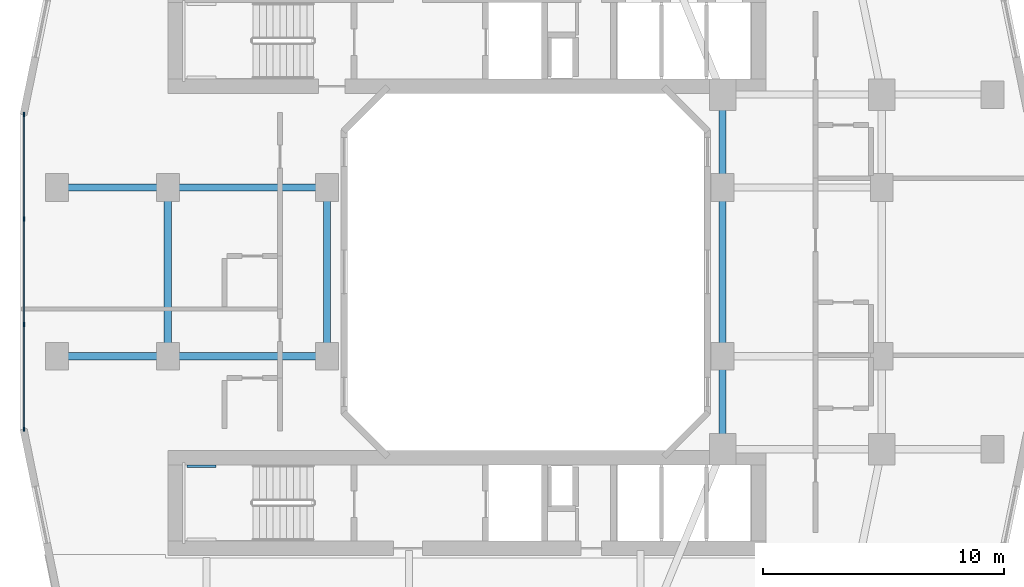
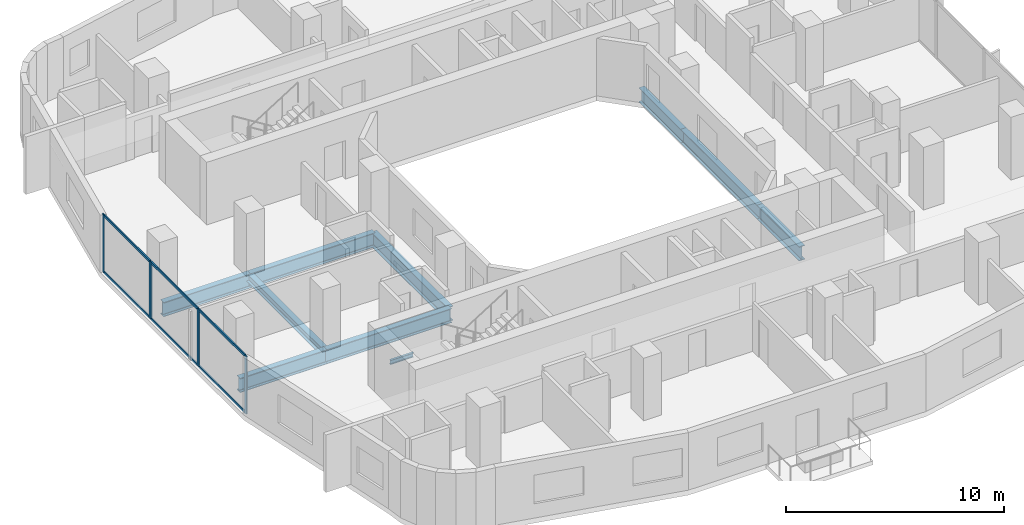
# One storey, part 2 of 22: 10 beams, 10 members, 1 element without a shape of its own.
"""IFC4 building model written with IfcOpenShell, lengths in metres."""

import ifcopenshell
import ifcopenshell.guid

model = None  # the IFC model being written
_history = None  # IfcOwnerHistory: only IFC2X3 demands one
_inside = {}  # id of a spatial element -> (the spatial element, [elements in it])
_under = {}  # id of a project, library or spatial element -> (it, [spatial elements below it])
_declared = {}  # id of a project -> (the project, [libraries it declares])
_typed = {}  # id of a type object -> (the type object, [elements of that type])
_made_of = {}  # id of a material, layer set ... -> (it, [elements and type objects made of it])


def new_model(schema):
    """Start an empty IFC model of exactly this schema.

    Asked for "IFC4X3", IfcOpenShell would pick the latest addendum, in which some entities
    have other attributes; the version numbers below select the first issue.
    IFC2X3 requires an IfcOwnerHistory on every rooted entity: one is made here for all.
    """
    global model, _history
    if schema == "IFC4X3":
        model = ifcopenshell.file(schema_version=(4, 3, 0, 0))
    else:
        model = ifcopenshell.file(schema=schema)
    _inside.clear()
    _under.clear()
    _declared.clear()
    _typed.clear()
    _made_of.clear()
    _history = None
    if model.schema == "IFC2X3":
        org = make("IfcOrganization", Name="unknown")
        user = make(
            "IfcPersonAndOrganization",
            ThePerson=make("IfcPerson", FamilyName="unknown"),
            TheOrganization=org,
        )
        app = make(
            "IfcApplication",
            ApplicationDeveloper=org,
            Version="unknown",
            ApplicationFullName="unknown",
            ApplicationIdentifier="unknown",
        )
        _history = make(
            "IfcOwnerHistory",
            OwningUser=user,
            OwningApplication=app,
            ChangeAction="ADDED",
            CreationDate=0,
        )
    return model


def make(cls, **values):
    """One entity of the class cls with the attributes given. An attribute that is None is left unset."""
    return model.create_entity(
        cls, **{name: value for name, value in values.items() if value is not None}
    )


def rooted(cls, **values):
    """An entity with a GlobalId (a new one), such as an element, a storey or a relation."""
    return make(cls, GlobalId=ifcopenshell.guid.new(), OwnerHistory=_history, **values)


def si_unit(unit_type, name, prefix=None):
    """IfcSIUnit, for example si_unit("LENGTHUNIT", "METRE", prefix="MILLI")."""
    return make("IfcSIUnit", UnitType=unit_type, Prefix=prefix, Name=name)


def derived_unit(unit_type, elements):
    """IfcDerivedUnit: a product of units, each with its exponent."""
    return make(
        "IfcDerivedUnit",
        Elements=[
            make("IfcDerivedUnitElement", Unit=unit, Exponent=power)
            for unit, power in elements
        ],
        UnitType=unit_type,
    )


def assignment(units):
    """IfcUnitAssignment: the units of a project."""
    return None if units is None else make("IfcUnitAssignment", Units=units)


def point(xyz):
    """IfcCartesianPoint."""
    return None if xyz is None else make("IfcCartesianPoint", Coordinates=xyz)


def direction(xyz):
    """IfcDirection."""
    return None if xyz is None else make("IfcDirection", DirectionRatios=xyz)


def frame(location, z_axis=None, x_axis=None):
    """IfcAxis2Placement3D, a coordinate frame: its origin and axes. An axis left out is left unset."""
    return make(
        "IfcAxis2Placement3D",
        Location=point(location),
        Axis=direction(z_axis),
        RefDirection=direction(x_axis),
    )


def frame_2d(location, x_axis=None):
    """IfcAxis2Placement2D, a coordinate frame in the plane: its origin and x axis."""
    return make(
        "IfcAxis2Placement2D", Location=point(location), RefDirection=direction(x_axis)
    )


def origin():
    """The frame at (0, 0, 0) with its axes left unset."""
    return frame((0.0, 0.0, 0.0))


def origin_2d():
    """The frame at (0, 0) in the plane with its x axis left unset."""
    return frame_2d((0.0, 0.0))


def place(relative_to, where):
    """IfcLocalPlacement: puts the frame where relative to a parent placement (None: the world)."""
    return make(
        "IfcLocalPlacement", PlacementRelTo=relative_to, RelativePlacement=where
    )


def context(
    kind, dimensions, precision=None, world=None, true_north=None, identifier=None
):
    """IfcGeometricRepresentationContext, for example the 3D "Model" context."""
    return make(
        "IfcGeometricRepresentationContext",
        ContextIdentifier=identifier,
        ContextType=kind,
        CoordinateSpaceDimension=dimensions,
        Precision=precision,
        WorldCoordinateSystem=world,
        TrueNorth=true_north,
    )


def subcontext(parent, identifier, kind, view, scale=None):
    """IfcGeometricRepresentationSubContext, for example "Body" below "Model"."""
    return make(
        "IfcGeometricRepresentationSubContext",
        ContextIdentifier=identifier,
        ContextType=kind,
        ParentContext=parent,
        TargetScale=scale,
        TargetView=view,
    )


def project(units=None, contexts=None):
    """IfcProject with its units and contexts."""
    return rooted(
        "IfcProject",
        Name="project",
        RepresentationContexts=contexts,
        UnitsInContext=assignment(units),
    )


def spatial(cls, under=None, at=None, **own):
    """A site, building, storey or space (cls), placed at a placement, below another one or the project."""
    s = rooted(cls, ObjectPlacement=at, **own)
    if under is not None:
        _under.setdefault(under.id(), (under, []))[1].append(s)
    return s


def profile(cls, at=None, kind="AREA", **sizes):
    """A parametric profile (cls). Its sizes go by their IFC names, for example OverallWidth=200.0."""
    return make(cls, ProfileType=kind, Position=at, **sizes)


def rectangle(**sizes):
    """IfcRectangleProfileDef."""
    return profile("IfcRectangleProfileDef", **sizes)


def i_section(**sizes):
    """IfcIShapeProfileDef."""
    return profile("IfcIShapeProfileDef", **sizes)


def extrude(swept, where, along, depth):
    """IfcExtrudedAreaSolid: the profile swept, set in the frame where, extruded along a direction by depth."""
    return make(
        "IfcExtrudedAreaSolid",
        SweptArea=swept,
        Position=where,
        ExtrudedDirection=direction(along),
        Depth=depth,
    )


def shape(context_of_items, identifier, shape_type, items):
    """IfcShapeRepresentation: the items that make up one representation, for example the "Body"."""
    return make(
        "IfcShapeRepresentation",
        ContextOfItems=context_of_items,
        RepresentationIdentifier=identifier,
        RepresentationType=shape_type,
        Items=items,
    )


def material(Name=None, Category=None):
    """IfcMaterial."""
    return make("IfcMaterial", Name=Name, Category=Category)


def layer(
    of_material, thickness, ventilated=None, Name=None, Category=None, Priority=None
):
    """IfcMaterialLayer: one layer of a wall or slab, of a material (None: an air gap)."""
    return make(
        "IfcMaterialLayer",
        Material=of_material,
        LayerThickness=thickness,
        IsVentilated=ventilated,
        Name=Name,
        Category=Category,
        Priority=Priority,
    )


def layer_set(layers, Name=None):
    """IfcMaterialLayerSet."""
    return make("IfcMaterialLayerSet", MaterialLayers=layers, LayerSetName=Name)


def material_profile(
    of_material, cross_section, Name=None, Category=None, Priority=None
):
    """IfcMaterialProfile: a cross section and its material."""
    return make(
        "IfcMaterialProfile",
        Name=Name,
        Material=of_material,
        Profile=cross_section,
        Priority=Priority,
        Category=Category,
    )


def profile_set(profiles, Name=None, composite=None):
    """IfcMaterialProfileSet."""
    return make(
        "IfcMaterialProfileSet",
        Name=Name,
        MaterialProfiles=profiles,
        CompositeProfile=composite,
    )


def made_of(thing, what):
    """Note that an element or type object is made of a material, layer set ...; save() writes the relation."""
    if what is not None:
        _made_of.setdefault(what.id(), (what, []))[1].append(thing)
    return thing


def type_object(cls, material=None, **own):
    """A type object (cls), such as IfcWallType, which elements share."""
    return made_of(rooted(cls, **own), material)


def element(
    cls,
    number,
    at=None,
    inside=None,
    cuts=None,
    type_object=None,
    material=None,
    context=None,
    identifier="Body",
    shape_type=None,
    held_by="IfcProductDefinitionShape",
    body=None,
    shapes=None,
    **own,
):
    """One element of the class cls, such as IfcWall. Its Tag is "e" and its number.

    at: its placement. inside: the storey or other place that contains it. cuts: it is an
    opening in that element (IfcRelVoidsElement). A single representation is given by context,
    identifier, shape_type and body (its items); several are given by shapes. held_by: the class
    of the entity that holds the representations. save() writes the other relations.
    """
    e = rooted(cls, Tag="e%d" % number, ObjectPlacement=at, **own)
    if body is not None:
        shapes = [shape(context, identifier, shape_type, body)]
    if shapes is not None:
        e.Representation = make(held_by, Representations=shapes)
    if inside is not None:
        _inside.setdefault(inside.id(), (inside, []))[1].append(e)
    if cuts is not None:
        rooted(
            "IfcRelVoidsElement", RelatingBuildingElement=cuts, RelatedOpeningElement=e
        )
    if type_object is not None:
        _typed.setdefault(type_object.id(), (type_object, []))[1].append(e)
    return made_of(e, material)


def aggregate(whole, parts):
    """IfcRelAggregates: a whole, such as a stair, and the parts it consists of."""
    return rooted("IfcRelAggregates", RelatingObject=whole, RelatedObjects=parts)


def save(model, path):
    """Write the relations noted so far, then the file.

    IfcRelAggregates (storeys below a building ...), IfcRelContainedInSpatialStructure (elements
    in a storey), IfcRelDefinesByType, IfcRelAssociatesMaterial and IfcRelDeclares: one each for
    every whole, place, type object, material and project.
    """
    for whole, parts in _under.values():
        aggregate(whole, parts)
    for where, things in _inside.values():
        rooted(
            "IfcRelContainedInSpatialStructure",
            RelatedElements=things,
            RelatingStructure=where,
        )
    for kind, things in _typed.values():
        rooted("IfcRelDefinesByType", RelatedObjects=things, RelatingType=kind)
    for what, things in _made_of.values():
        rooted("IfcRelAssociatesMaterial", RelatedObjects=things, RelatingMaterial=what)
    for by, libraries in _declared.values():
        rooted("IfcRelDeclares", RelatingContext=by, RelatedDefinitions=libraries)
    model.write(path)


model = new_model("IFC4")

# Units and contexts
model_context = context("Model", 3, precision=1e-05, world=origin(), true_north=direction((0.0, 1.0)))
body_context = subcontext(model_context, "Body", "Model", "MODEL_VIEW")
ifc_project = project(units=[si_unit("LENGTHUNIT", "METRE"), si_unit("AREAUNIT", "SQUARE_METRE"), si_unit("VOLUMEUNIT", "CUBIC_METRE"), si_unit("PLANEANGLEUNIT", "RADIAN"), si_unit("MASSUNIT", "GRAM", prefix="KILO"), derived_unit("THERMALTRANSMITTANCEUNIT", [(si_unit("POWERUNIT", "WATT"), 1), (si_unit("LENGTHUNIT", "METRE"), -2), (si_unit("THERMODYNAMICTEMPERATUREUNIT", "KELVIN"), -1)])], contexts=[model_context])

# Site, building, storey
site_placement = place(None, origin())
site = spatial("IfcSite", under=ifc_project, at=site_placement, CompositionType="ELEMENT")
building_placement = place(site_placement, origin())
building = spatial("IfcBuilding", under=site, at=building_placement, Name="Kivonza Crest Hotel", CompositionType="ELEMENT")
storey_placement = place(building_placement, frame((0.0, 0.0, 48.5)))
storey = spatial("IfcBuildingStorey", under=building, at=storey_placement, Name="L12", CompositionType="ELEMENT", Elevation=48.5)

# Beams
ifc_material_1 = material(Name="Steel S355", Category="steel")
ifc_material_profile_1 = material_profile(ifc_material_1, i_section(OverallWidth=0.300048828125, OverallDepth=0.449951171875, WebThickness=0.013916015625, FlangeThickness=0.02587890625, FilletRadius=0.027099609375, at=origin_2d()), Name="HEB 450")
ifc_profile_set_1 = profile_set([ifc_material_profile_1], Name="Steel S355")
beam_type_1 = type_object("IfcBeamType", Name="BM-HEB450", PredefinedType="SPANDREL", material=ifc_profile_set_1)
beam_1_placement = place(storey_placement, frame((6.199951171875, 28.5, -0.5048828125), z_axis=(0.0, -1.0, 0.0), x_axis=(1.0, 0.0, 0.0)))
element("IfcBeam", 1, at=beam_1_placement, inside=storey, type_object=beam_type_1, Name="Tower T1 L12 perimeter spandrel W2-W1", PredefinedType="SPANDREL", context=body_context, shape_type="SweptSolid", body=[
    extrude(i_section(OverallWidth=0.300048828125, OverallDepth=0.449951171875, WebThickness=0.013916015625, FlangeThickness=0.02587890625, FilletRadius=0.027099609375, at=origin_2d()), origin(), (0.0, 0.0, 1.0), 7.0),
])
ifc_material_profile_2 = material_profile(ifc_material_1, i_section(OverallWidth=0.300048828125, OverallDepth=0.800048828125, WebThickness=0.017578125, FlangeThickness=0.032958984375, FilletRadius=0.030029296875, at=origin_2d()), Name="HEB 800")
ifc_profile_set_2 = profile_set([ifc_material_profile_2], Name="Steel S355")
beam_type_2 = type_object("IfcBeamType", Name="BM-HEB800", PredefinedType="BEAM", material=ifc_profile_set_2)
for number, where, z_axis, x_axis, name in (
    (2, (6.199951171875, 21.5, -0.679931640625), (1.0, 0.0, 0.0), (0.0, 1.0, 0.0), "Tower T1 L12 primary girder W1-WL1"),
    (3, (6.199951171875, 28.5, -0.679931640625), (1.0, 0.0, 0.0), (0.0, 1.0, 0.0), "Tower T1 L12 primary girder W2-WL2"),
):
    element("IfcBeam", number, at=place(storey_placement, frame(where, z_axis=z_axis, x_axis=x_axis)), inside=storey, type_object=beam_type_2, Name=name, PredefinedType="BEAM", context=body_context, shape_type="SweptSolid", body=[
        extrude(i_section(OverallWidth=0.300048828125, OverallDepth=0.800048828125, WebThickness=0.017578125, FlangeThickness=0.032958984375, FilletRadius=0.030029296875, at=origin_2d()), origin(), (0.0, 0.0, 1.0), 6.60009765625),
    ])
for number, where, z_axis, x_axis, name in (
    (4, (12.800048828125, 21.5, -0.679931640625), (0.0, 1.0, 0.0), (-1.0, 0.0, 0.0), "Tower T1 L12 primary girder WL1-WL2"),
    (5, (29.199951171875, 21.5, -0.679931640625), (0.0, 1.0, 0.0), (-1.0, 0.0, 0.0), "Tower T1 L12 primary girder WR1-WR2"),
):
    element("IfcBeam", number, at=place(storey_placement, frame(where, z_axis=z_axis, x_axis=x_axis)), inside=storey, type_object=beam_type_2, Name=name, PredefinedType="BEAM", context=body_context, shape_type="SweptSolid", body=[
        extrude(i_section(OverallWidth=0.300048828125, OverallDepth=0.800048828125, WebThickness=0.017578125, FlangeThickness=0.032958984375, FilletRadius=0.030029296875, at=origin_2d()), origin(), (0.0, 0.0, 1.0), 7.0),
    ])
for number, where, z_axis, x_axis, name in (
    (6, (29.199951171875, 17.64990234375, -0.679931640625), (0.0, 1.0, 0.0), (-1.0, 0.0, 0.0), "Tower T1 L12 primary girder TSE-WR1"),
    (7, (29.199951171875, 28.5, -0.679931640625), (0.0, 1.0, 0.0), (-1.0, 0.0, 0.0), "Tower T1 L12 primary girder WR2-TNE"),
):
    element("IfcBeam", number, at=place(storey_placement, frame(where, z_axis=z_axis, x_axis=x_axis)), inside=storey, type_object=beam_type_2, Name=name, PredefinedType="BEAM", context=body_context, shape_type="SweptSolid", body=[
        extrude(i_section(OverallWidth=0.300048828125, OverallDepth=0.800048828125, WebThickness=0.017578125, FlangeThickness=0.032958984375, FilletRadius=0.030029296875, at=origin_2d()), origin(), (0.0, 0.0, 1.0), 3.85009765625),
    ])
for number, where, z_axis, x_axis, name in (
    (8, (1.60009765625, 21.5, -0.679931640625), (1.0, 0.0, 0.0), (0.0, 1.0, 0.0), "Tower T1 L12 outer bay girder ZW1"),
    (9, (1.60009765625, 28.5, -0.679931640625), (1.0, 0.0, 0.0), (0.0, 1.0, 0.0), "Tower T1 L12 outer bay girder ZW2"),
):
    element("IfcBeam", number, at=place(storey_placement, frame(where, z_axis=z_axis, x_axis=x_axis)), inside=storey, type_object=beam_type_2, Name=name, PredefinedType="BEAM", context=body_context, shape_type="SweptSolid", body=[
        extrude(i_section(OverallWidth=0.300048828125, OverallDepth=0.800048828125, WebThickness=0.017578125, FlangeThickness=0.032958984375, FilletRadius=0.030029296875, at=origin_2d()), origin(), (0.0, 0.0, 1.0), 4.599853515625),
    ])
ifc_material_profile_3 = material_profile(ifc_material_1, i_section(OverallWidth=0.1201171875, OverallDepth=0.239990234375, WebThickness=0.006103515625, FlangeThickness=0.009765625, FilletRadius=0.014892578125, at=origin_2d()), Name="IPE 240")
ifc_profile_set_3 = profile_set([ifc_material_profile_3], Name="Steel S355")
beam_type_3 = type_object("IfcBeamType", Name="BM-LLDG-240", PredefinedType="BEAM", material=ifc_profile_set_3)
beam_2_placement = place(storey_placement, frame((6.989990234375, 16.93994140625, 1.429931640625), z_axis=(1.0, 0.0, 0.0), x_axis=(0.0, 1.0, 0.0)))
element("IfcBeam", 10, at=beam_2_placement, inside=storey, type_object=beam_type_3, Name="Stair ST-T1-S L12 North landing corbel", PredefinedType="BEAM", context=body_context, shape_type="SweptSolid", body=[
    extrude(i_section(OverallWidth=0.1201171875, OverallDepth=0.239990234375, WebThickness=0.006103515625, FlangeThickness=0.009765625, FilletRadius=0.014892578125, at=origin_2d()), origin(), (0.0, 0.0, 1.0), 1.2099609375),
])

# Curtain wall, members
ifc_material_2 = material(Name="Anodised bronze aluminium and low-E double glazing", Category="aluminium")
ifc_layer = layer(ifc_material_2, 0.179931640625)
ifc_layer_set = layer_set([ifc_layer], Name="Anodised bronze aluminium and low-E double glazing")
curtain_wall_type = type_object("IfcCurtainWallType", Name="CW-SYS-2", PredefinedType="NOTDEFINED", material=ifc_layer_set)
curtain_wall_placement = place(storey_placement, origin())
curtain_wall = element("IfcCurtainWall", 11, at=curtain_wall_placement, inside=storey, type_object=curtain_wall_type, Name="L12 unitised curtain wall CW-T1-L12-35", PredefinedType="NOTDEFINED")
ifc_material_3 = material(Name="Anodised bronze aluminium", Category="aluminium")
ifc_material_profile_4 = material_profile(ifc_material_3, rectangle(XDim=0.06494140625, YDim=0.179931640625, at=origin_2d()), Name="CW-M 65x180")
ifc_profile_set_4 = profile_set([ifc_material_profile_4], Name="Anodised bronze aluminium")
member_type_1 = type_object("IfcMemberType", Name="CW-MUL-65x180", PredefinedType="MULLION", material=ifc_profile_set_4)
member_1_placement = place(storey_placement, frame((0.239990234375, 31.527587890625, 0.0), z_axis=(0.0, 0.0, 1.0), x_axis=(1.0, 0.0, 0.0)))
member_1 = element("IfcMember", 12, at=member_1_placement, type_object=member_type_1, Name="CW-2 mullion 1", PredefinedType="MULLION", context=body_context, shape_type="SweptSolid", body=[
    extrude(rectangle(XDim=0.06494140625, YDim=0.179931640625, at=origin_2d()), origin(), (0.0, 0.0, 1.0), 3.219970703125),
])
member_2_placement = place(storey_placement, frame((0.239990234375, 27.186767578125, 0.0), z_axis=(0.0, 0.0, 1.0), x_axis=(1.0, 0.0, 0.0)))
member_2 = element("IfcMember", 13, at=member_2_placement, type_object=member_type_1, Name="CW-2 mullion 2", PredefinedType="MULLION", context=body_context, shape_type="SweptSolid", body=[
    extrude(rectangle(XDim=0.06494140625, YDim=0.179931640625, at=origin_2d()), origin(), (0.0, 0.0, 1.0), 3.219970703125),
])
member_3_placement = place(storey_placement, frame((0.239990234375, 22.813232421875, 0.0), z_axis=(0.0, 0.0, 1.0), x_axis=(1.0, 0.0, 0.0)))
member_3 = element("IfcMember", 14, at=member_3_placement, type_object=member_type_1, Name="CW-2 mullion 3", PredefinedType="MULLION", context=body_context, shape_type="SweptSolid", body=[
    extrude(rectangle(XDim=0.06494140625, YDim=0.179931640625, at=origin_2d()), origin(), (0.0, 0.0, 1.0), 3.219970703125),
])
member_4_placement = place(storey_placement, frame((0.239990234375, 18.472412109375, 0.0), z_axis=(0.0, 0.0, 1.0), x_axis=(1.0, 0.0, 0.0)))
member_4 = element("IfcMember", 15, at=member_4_placement, type_object=member_type_1, Name="CW-2 mullion 4", PredefinedType="MULLION", context=body_context, shape_type="SweptSolid", body=[
    extrude(rectangle(XDim=0.06494140625, YDim=0.179931640625, at=origin_2d()), origin(), (0.0, 0.0, 1.0), 3.219970703125),
])
ifc_material_profile_5 = material_profile(ifc_material_3, rectangle(XDim=0.06494140625, YDim=0.139892578125, at=origin_2d()), Name="CW-T 65x140")
ifc_profile_set_5 = profile_set([ifc_material_profile_5], Name="Anodised bronze aluminium")
member_type_2 = type_object("IfcMemberType", Name="CW-TRN-65x140", PredefinedType="USERDEFINED", material=ifc_profile_set_5)
member_5_placement = place(storey_placement, frame((0.239990234375, 31.4951171875, 0.032470703125), z_axis=(0.0, -1.0, 0.0), x_axis=(1.0, 0.0, 0.0)))
member_5 = element("IfcMember", 16, at=member_5_placement, type_object=member_type_2, Name="CW-2 transom 1.1", ObjectType="TRANSOM", PredefinedType="USERDEFINED", context=body_context, shape_type="SweptSolid", body=[
    extrude(rectangle(XDim=0.06494140625, YDim=0.139892578125, at=origin_2d()), origin(), (0.0, 0.0, 1.0), 4.27587890625),
])
member_6_placement = place(storey_placement, frame((0.239990234375, 31.4951171875, 3.1875), z_axis=(0.0, -1.0, 0.0), x_axis=(1.0, 0.0, 0.0)))
member_6 = element("IfcMember", 17, at=member_6_placement, type_object=member_type_2, Name="CW-2 transom 1.2", ObjectType="TRANSOM", PredefinedType="USERDEFINED", context=body_context, shape_type="SweptSolid", body=[
    extrude(rectangle(XDim=0.06494140625, YDim=0.139892578125, at=origin_2d()), origin(), (0.0, 0.0, 1.0), 4.27587890625),
])
member_7_placement = place(storey_placement, frame((0.239990234375, 27.154052734375, 0.032470703125), z_axis=(0.0, -1.0, 0.0), x_axis=(1.0, 0.0, 0.0)))
member_7 = element("IfcMember", 18, at=member_7_placement, type_object=member_type_2, Name="CW-2 transom 2.1", ObjectType="TRANSOM", PredefinedType="USERDEFINED", context=body_context, shape_type="SweptSolid", body=[
    extrude(rectangle(XDim=0.06494140625, YDim=0.139892578125, at=origin_2d()), origin(), (0.0, 0.0, 1.0), 4.30810546875),
])
member_8_placement = place(storey_placement, frame((0.239990234375, 27.154052734375, 3.1875), z_axis=(0.0, -1.0, 0.0), x_axis=(1.0, 0.0, 0.0)))
member_8 = element("IfcMember", 19, at=member_8_placement, type_object=member_type_2, Name="CW-2 transom 2.2", ObjectType="TRANSOM", PredefinedType="USERDEFINED", context=body_context, shape_type="SweptSolid", body=[
    extrude(rectangle(XDim=0.06494140625, YDim=0.139892578125, at=origin_2d()), origin(), (0.0, 0.0, 1.0), 4.30810546875),
])
member_9_placement = place(storey_placement, frame((0.239990234375, 22.78076171875, 0.032470703125), z_axis=(0.0, -1.0, 0.0), x_axis=(1.0, 0.0, 0.0)))
member_9 = element("IfcMember", 20, at=member_9_placement, type_object=member_type_2, Name="CW-2 transom 3.1", ObjectType="TRANSOM", PredefinedType="USERDEFINED", context=body_context, shape_type="SweptSolid", body=[
    extrude(rectangle(XDim=0.06494140625, YDim=0.139892578125, at=origin_2d()), origin(), (0.0, 0.0, 1.0), 4.27587890625),
])
member_10_placement = place(storey_placement, frame((0.239990234375, 22.78076171875, 3.1875), z_axis=(0.0, -1.0, 0.0), x_axis=(1.0, 0.0, 0.0)))
member_10 = element("IfcMember", 21, at=member_10_placement, type_object=member_type_2, Name="CW-2 transom 3.2", ObjectType="TRANSOM", PredefinedType="USERDEFINED", context=body_context, shape_type="SweptSolid", body=[
    extrude(rectangle(XDim=0.06494140625, YDim=0.139892578125, at=origin_2d()), origin(), (0.0, 0.0, 1.0), 4.27587890625),
])
aggregate(curtain_wall, [member_1, member_2, member_3, member_4, member_5, member_6, member_7, member_8, member_9, member_10])

save(model, "model.ifc")
